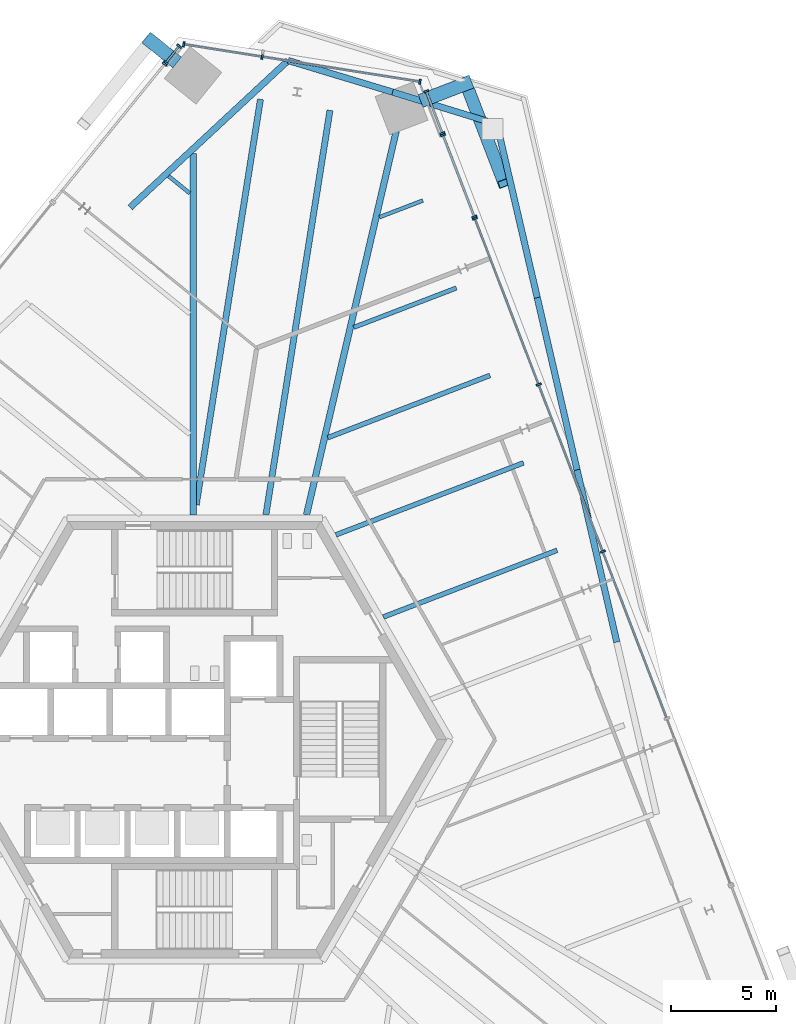
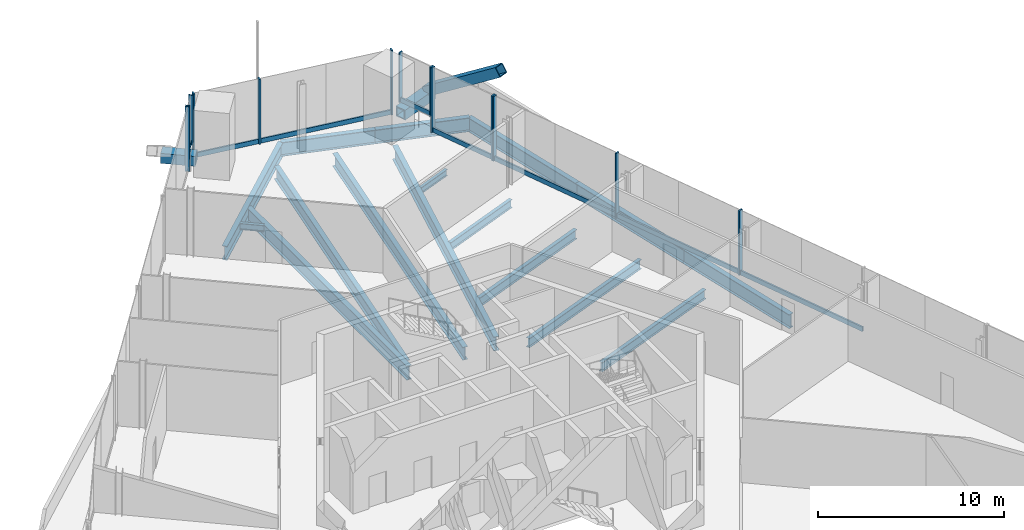
# One storey, part 8 of 22: 24 members, 16 beams, 6 elements without a shape of their own.
"""IFC4 building model written with IfcOpenShell, lengths in metres."""

import ifcopenshell
import ifcopenshell.guid

model = None  # the IFC model being written
_history = None  # IfcOwnerHistory: only IFC2X3 demands one
_inside = {}  # id of a spatial element -> (the spatial element, [elements in it])
_under = {}  # id of a project, library or spatial element -> (it, [spatial elements below it])
_declared = {}  # id of a project -> (the project, [libraries it declares])
_typed = {}  # id of a type object -> (the type object, [elements of that type])
_made_of = {}  # id of a material, layer set ... -> (it, [elements and type objects made of it])


def new_model(schema):
    """Start an empty IFC model of exactly this schema.

    Asked for "IFC4X3", IfcOpenShell would pick the latest addendum, in which some entities
    have other attributes; the version numbers below select the first issue.
    IFC2X3 requires an IfcOwnerHistory on every rooted entity: one is made here for all.
    """
    global model, _history
    if schema == "IFC4X3":
        model = ifcopenshell.file(schema_version=(4, 3, 0, 0))
    else:
        model = ifcopenshell.file(schema=schema)
    _inside.clear()
    _under.clear()
    _declared.clear()
    _typed.clear()
    _made_of.clear()
    _history = None
    if model.schema == "IFC2X3":
        org = make("IfcOrganization", Name="unknown")
        user = make(
            "IfcPersonAndOrganization",
            ThePerson=make("IfcPerson", FamilyName="unknown"),
            TheOrganization=org,
        )
        app = make(
            "IfcApplication",
            ApplicationDeveloper=org,
            Version="unknown",
            ApplicationFullName="unknown",
            ApplicationIdentifier="unknown",
        )
        _history = make(
            "IfcOwnerHistory",
            OwningUser=user,
            OwningApplication=app,
            ChangeAction="ADDED",
            CreationDate=0,
        )
    return model


def make(cls, **values):
    """One entity of the class cls with the attributes given. An attribute that is None is left unset."""
    return model.create_entity(
        cls, **{name: value for name, value in values.items() if value is not None}
    )


def rooted(cls, **values):
    """An entity with a GlobalId (a new one), such as an element, a storey or a relation."""
    return make(cls, GlobalId=ifcopenshell.guid.new(), OwnerHistory=_history, **values)


def si_unit(unit_type, name, prefix=None):
    """IfcSIUnit, for example si_unit("LENGTHUNIT", "METRE", prefix="MILLI")."""
    return make("IfcSIUnit", UnitType=unit_type, Prefix=prefix, Name=name)


def assignment(units):
    """IfcUnitAssignment: the units of a project."""
    return None if units is None else make("IfcUnitAssignment", Units=units)


def point(xyz):
    """IfcCartesianPoint."""
    return None if xyz is None else make("IfcCartesianPoint", Coordinates=xyz)


def direction(xyz):
    """IfcDirection."""
    return None if xyz is None else make("IfcDirection", DirectionRatios=xyz)


def frame(location, z_axis=None, x_axis=None):
    """IfcAxis2Placement3D, a coordinate frame: its origin and axes. An axis left out is left unset."""
    return make(
        "IfcAxis2Placement3D",
        Location=point(location),
        Axis=direction(z_axis),
        RefDirection=direction(x_axis),
    )


def frame_2d(location, x_axis=None):
    """IfcAxis2Placement2D, a coordinate frame in the plane: its origin and x axis."""
    return make(
        "IfcAxis2Placement2D", Location=point(location), RefDirection=direction(x_axis)
    )


def origin():
    """The frame at (0, 0, 0) with its axes left unset."""
    return frame((0.0, 0.0, 0.0))


def origin_2d():
    """The frame at (0, 0) in the plane with its x axis left unset."""
    return frame_2d((0.0, 0.0))


def place(relative_to, where):
    """IfcLocalPlacement: puts the frame where relative to a parent placement (None: the world)."""
    return make(
        "IfcLocalPlacement", PlacementRelTo=relative_to, RelativePlacement=where
    )


def context(
    kind, dimensions, precision=None, world=None, true_north=None, identifier=None
):
    """IfcGeometricRepresentationContext, for example the 3D "Model" context."""
    return make(
        "IfcGeometricRepresentationContext",
        ContextIdentifier=identifier,
        ContextType=kind,
        CoordinateSpaceDimension=dimensions,
        Precision=precision,
        WorldCoordinateSystem=world,
        TrueNorth=true_north,
    )


def subcontext(parent, identifier, kind, view, scale=None):
    """IfcGeometricRepresentationSubContext, for example "Body" below "Model"."""
    return make(
        "IfcGeometricRepresentationSubContext",
        ContextIdentifier=identifier,
        ContextType=kind,
        ParentContext=parent,
        TargetScale=scale,
        TargetView=view,
    )


def project(units=None, contexts=None):
    """IfcProject with its units and contexts."""
    return rooted(
        "IfcProject",
        Name="project",
        RepresentationContexts=contexts,
        UnitsInContext=assignment(units),
    )


def spatial(cls, under=None, at=None, **own):
    """A site, building, storey or space (cls), placed at a placement, below another one or the project."""
    s = rooted(cls, ObjectPlacement=at, **own)
    if under is not None:
        _under.setdefault(under.id(), (under, []))[1].append(s)
    return s


def profile(cls, at=None, kind="AREA", **sizes):
    """A parametric profile (cls). Its sizes go by their IFC names, for example OverallWidth=200.0."""
    return make(cls, ProfileType=kind, Position=at, **sizes)


def rectangle(**sizes):
    """IfcRectangleProfileDef."""
    return profile("IfcRectangleProfileDef", **sizes)


def hollow_rectangle(**sizes):
    """IfcRectangleHollowProfileDef."""
    return profile("IfcRectangleHollowProfileDef", **sizes)


def i_section(**sizes):
    """IfcIShapeProfileDef."""
    return profile("IfcIShapeProfileDef", **sizes)


def extrude(swept, where, along, depth):
    """IfcExtrudedAreaSolid: the profile swept, set in the frame where, extruded along a direction by depth."""
    return make(
        "IfcExtrudedAreaSolid",
        SweptArea=swept,
        Position=where,
        ExtrudedDirection=direction(along),
        Depth=depth,
    )


def shape(context_of_items, identifier, shape_type, items):
    """IfcShapeRepresentation: the items that make up one representation, for example the "Body"."""
    return make(
        "IfcShapeRepresentation",
        ContextOfItems=context_of_items,
        RepresentationIdentifier=identifier,
        RepresentationType=shape_type,
        Items=items,
    )


def source(mapping_origin, context_of_items, identifier, shape_type, items):
    """IfcRepresentationMap: a shape defined once, which mapped items show again and again."""
    return make(
        "IfcRepresentationMap",
        MappingOrigin=mapping_origin,
        MappedRepresentation=shape(context_of_items, identifier, shape_type, items),
    )


def transform(
    local_origin,
    x_axis=None,
    y_axis=None,
    z_axis=None,
    scale=None,
    scale2=None,
    scale3=None,
    uniform=True,
):
    """IfcCartesianTransformationOperator3D, or its non-uniform kind. x_axis, y_axis, z_axis: its Axis1, 2, 3."""
    if uniform:
        return make(
            "IfcCartesianTransformationOperator3D",
            Axis1=direction(x_axis),
            Axis2=direction(y_axis),
            LocalOrigin=point(local_origin),
            Scale=scale,
            Axis3=direction(z_axis),
        )
    return make(
        "IfcCartesianTransformationOperator3DnonUniform",
        Axis1=direction(x_axis),
        Axis2=direction(y_axis),
        LocalOrigin=point(local_origin),
        Scale=scale,
        Axis3=direction(z_axis),
        Scale2=scale2,
        Scale3=scale3,
    )


def mapped(mapping_source, mapping_target):
    """IfcMappedItem: shows the shape of a source again, moved by a transform."""
    return make(
        "IfcMappedItem", MappingSource=mapping_source, MappingTarget=mapping_target
    )


def material(Name=None, Category=None):
    """IfcMaterial."""
    return make("IfcMaterial", Name=Name, Category=Category)


def material_profile(
    of_material, cross_section, Name=None, Category=None, Priority=None
):
    """IfcMaterialProfile: a cross section and its material."""
    return make(
        "IfcMaterialProfile",
        Name=Name,
        Material=of_material,
        Profile=cross_section,
        Priority=Priority,
        Category=Category,
    )


def profile_set(profiles, Name=None, composite=None):
    """IfcMaterialProfileSet."""
    return make(
        "IfcMaterialProfileSet",
        Name=Name,
        MaterialProfiles=profiles,
        CompositeProfile=composite,
    )


def made_of(thing, what):
    """Note that an element or type object is made of a material, layer set ...; save() writes the relation."""
    if what is not None:
        _made_of.setdefault(what.id(), (what, []))[1].append(thing)
    return thing


def type_object(cls, material=None, **own):
    """A type object (cls), such as IfcWallType, which elements share."""
    return made_of(rooted(cls, **own), material)


def element(
    cls,
    number,
    at=None,
    inside=None,
    cuts=None,
    type_object=None,
    material=None,
    context=None,
    identifier="Body",
    shape_type=None,
    held_by="IfcProductDefinitionShape",
    body=None,
    shapes=None,
    **own,
):
    """One element of the class cls, such as IfcWall. Its Tag is "e" and its number.

    at: its placement. inside: the storey or other place that contains it. cuts: it is an
    opening in that element (IfcRelVoidsElement). A single representation is given by context,
    identifier, shape_type and body (its items); several are given by shapes. held_by: the class
    of the entity that holds the representations. save() writes the other relations.
    """
    e = rooted(cls, Tag="e%d" % number, ObjectPlacement=at, **own)
    if body is not None:
        shapes = [shape(context, identifier, shape_type, body)]
    if shapes is not None:
        e.Representation = make(held_by, Representations=shapes)
    if inside is not None:
        _inside.setdefault(inside.id(), (inside, []))[1].append(e)
    if cuts is not None:
        rooted(
            "IfcRelVoidsElement", RelatingBuildingElement=cuts, RelatedOpeningElement=e
        )
    if type_object is not None:
        _typed.setdefault(type_object.id(), (type_object, []))[1].append(e)
    return made_of(e, material)


def aggregate(whole, parts):
    """IfcRelAggregates: a whole, such as a stair, and the parts it consists of."""
    return rooted("IfcRelAggregates", RelatingObject=whole, RelatedObjects=parts)


def save(model, path):
    """Write the relations noted so far, then the file.

    IfcRelAggregates (storeys below a building ...), IfcRelContainedInSpatialStructure (elements
    in a storey), IfcRelDefinesByType, IfcRelAssociatesMaterial and IfcRelDeclares: one each for
    every whole, place, type object, material and project.
    """
    for whole, parts in _under.values():
        aggregate(whole, parts)
    for where, things in _inside.values():
        rooted(
            "IfcRelContainedInSpatialStructure",
            RelatedElements=things,
            RelatingStructure=where,
        )
    for kind, things in _typed.values():
        rooted("IfcRelDefinesByType", RelatedObjects=things, RelatingType=kind)
    for what, things in _made_of.values():
        rooted("IfcRelAssociatesMaterial", RelatedObjects=things, RelatingMaterial=what)
    for by, libraries in _declared.values():
        rooted("IfcRelDeclares", RelatingContext=by, RelatedDefinitions=libraries)
    model.write(path)


model = new_model("IFC4")

# Units and contexts
model_context = context("Model", 3, precision=1e-05, world=origin(), true_north=direction((0.0, 1.0)))
body_context = subcontext(model_context, "Body", "Model", "MODEL_VIEW")
ifc_project = project(units=[si_unit("LENGTHUNIT", "METRE"), si_unit("AREAUNIT", "SQUARE_METRE"), si_unit("VOLUMEUNIT", "CUBIC_METRE"), si_unit("PLANEANGLEUNIT", "RADIAN"), si_unit("MASSUNIT", "GRAM", prefix="KILO")], contexts=[model_context])

# Site, building, storey
site_placement = place(None, origin())
site = spatial("IfcSite", under=ifc_project, at=site_placement, CompositionType="ELEMENT")
building_placement = place(site_placement, origin())
building = spatial("IfcBuilding", under=site, at=building_placement, Name="Triune Harvest Tower", CompositionType="ELEMENT")
storey_placement = place(building_placement, frame((0.0, 0.0, 138.10009765625)))
storey = spatial("IfcBuildingStorey", under=building, at=storey_placement, Name="L35", CompositionType="ELEMENT", Elevation=138.10009765625)

# Member
ifc_material_1 = material(Name="Steel ASTM A572 Gr 50", Category="steel")
ifc_material_profile_1 = material_profile(ifc_material_1, hollow_rectangle(XDim=0.60009765625, YDim=0.60009765625, WallThickness=0.0400390625, at=origin_2d()), Name="Box 600x600x40")
ifc_profile_set_1 = profile_set([ifc_material_profile_1], Name="Steel ASTM A572 Gr 50")
member_type_1 = type_object("IfcMemberType", Name="BR-2 Brace Box 600x600x40", PredefinedType="BRACE", material=ifc_profile_set_1)
member_1_placement = place(storey_placement, frame((12.917236328125, 31.228515625, 0.889892578125), z_axis=(0.29473822282, -0.767862304256, 0.568785426775), x_axis=(0.933587137948, 0.35835046513, 0.0)))
element("IfcMember", 1, at=member_1_placement, inside=storey, type_object=member_type_1, Name="brace/B4-F1/d2/1", PredefinedType="BRACE", context=body_context, shape_type="SweptSolid", body=[
    extrude(hollow_rectangle(XDim=0.60009765625, YDim=0.60009765625, WallThickness=0.0400390625, at=origin_2d()), origin(), (0.0, 0.0, 1.0), 6.171142578125),
])

# Beams
ifc_material_2 = material(Name="Steel ASTM A992 Gr 50", Category="steel")
ifc_material_profile_2 = material_profile(ifc_material_2, i_section(OverallWidth=0.307373046875, OverallDepth=0.922119140625, WebThickness=0.018310546875, FlangeThickness=0.030029296875, at=origin_2d()), Name="W36x182")
ifc_profile_set_2 = profile_set([ifc_material_profile_2], Name="Steel ASTM A992 Gr 50")
beam_type_1 = type_object("IfcBeamType", Name="HG-2 Hip girder W36x182", PredefinedType="BEAM", material=ifc_profile_set_2)
beam_1_placement = place(storey_placement, frame((-0.0791015625, 27.9111328125, -0.6611328125), z_axis=(0.0, -1.0, 0.0), x_axis=(1.0, 0.0, 0.0)))
element("IfcBeam", 2, at=beam_1_placement, inside=storey, type_object=beam_type_1, Name="beam/L35/HG4", PredefinedType="BEAM", context=body_context, shape_type="SweptSolid", body=[
    extrude(i_section(OverallWidth=0.307373046875, OverallDepth=0.922119140625, WebThickness=0.018310546875, FlangeThickness=0.030029296875, at=origin_2d()), origin(), (0.0, 0.0, 1.0), 17.214111328125),
])
ifc_material_3 = material(Name="Steel ASTM A992 Gr 50", Category="steel")
ifc_material_profile_3 = material_profile(ifc_material_3, i_section(OverallWidth=0.180908203125, OverallDepth=0.41650390625, WebThickness=0.010986328125, FlangeThickness=0.01806640625, at=origin_2d()), Name="W16x57")
ifc_profile_set_3 = profile_set([ifc_material_profile_3], Name="Steel ASTM A992 Gr 50")
beam_type_2 = type_object("IfcBeamType", Name="JT-1 Floor joist W16x57", PredefinedType="JOIST", material=ifc_profile_set_3)
beam_2_placement = place(storey_placement, frame((-1.24462890625, 26.827880859375, -0.408447265625), z_axis=(0.777122576468, -0.629349268009, 0.0), x_axis=(0.629349268009, 0.777122576468, 0.0)))
element("IfcBeam", 3, at=beam_2_placement, inside=storey, type_object=beam_type_2, Name="beam/L35/JT13", PredefinedType="JOIST", context=body_context, shape_type="SweptSolid", body=[
    extrude(i_section(OverallWidth=0.180908203125, OverallDepth=0.41650390625, WebThickness=0.010986328125, FlangeThickness=0.01806640625, at=origin_2d()), origin(), (0.0, 0.0, 1.0), 1.3017578125),
])
ifc_material_4 = material(Name="Steel ASTM A992 Gr 50", Category="steel")
ifc_material_profile_4 = material_profile(ifc_material_4, i_section(OverallWidth=0.2099609375, OverallDepth=0.535888671875, WebThickness=0.010986328125, FlangeThickness=0.017333984375, at=origin_2d()), Name="W21x68")
ifc_profile_set_4 = profile_set([ifc_material_profile_4], Name="Steel ASTM A992 Gr 50")
beam_type_3 = type_object("IfcBeamType", Name="JT-2 Floor joist W21x68", PredefinedType="JOIST", material=ifc_profile_set_4)
beam_3_placement = place(storey_placement, frame((12.45947265625, 21.5, -0.468017578125), z_axis=(-0.933578361665, -0.358373328572, 0.0), x_axis=(0.358373328572, -0.933578361665, 0.0)))
element("IfcBeam", 4, at=beam_3_placement, inside=storey, type_object=beam_type_3, Name="beam/L35/JT9", PredefinedType="JOIST", context=body_context, shape_type="SweptSolid", body=[
    extrude(i_section(OverallWidth=0.2099609375, OverallDepth=0.535888671875, WebThickness=0.010986328125, FlangeThickness=0.017333984375, at=origin_2d()), origin(), (0.0, 0.0, 1.0), 5.240234375),
])
ifc_material_5 = material(Name="Steel ASTM A992 Gr 50", Category="steel")
ifc_material_profile_5 = material_profile(ifc_material_5, i_section(OverallWidth=0.22900390625, OverallDepth=0.612060546875, WebThickness=0.011962890625, FlangeThickness=0.01953125, at=origin_2d()), Name="W24x84")
ifc_profile_set_5 = profile_set([ifc_material_profile_5], Name="Steel ASTM A992 Gr 50")
beam_type_4 = type_object("IfcBeamType", Name="JT-3 Floor joist W24x84", PredefinedType="JOIST", material=ifc_profile_set_5)
beam_4_placement = place(storey_placement, frame((17.25341796875, 9.01123046875, -0.506103515625), z_axis=(-0.933576238689, -0.358378858969, 0.0), x_axis=(0.358378858969, -0.933576238689, 0.0)))
element("IfcBeam", 5, at=beam_4_placement, inside=storey, type_object=beam_type_4, Name="beam/L35/JT6", PredefinedType="JOIST", context=body_context, shape_type="SweptSolid", body=[
    extrude(i_section(OverallWidth=0.22900390625, OverallDepth=0.612060546875, WebThickness=0.011962890625, FlangeThickness=0.01953125, at=origin_2d()), origin(), (0.0, 0.0, 1.0), 8.859375),
])
beam_5_placement = place(storey_placement, frame((15.655517578125, 13.174072265625, -0.506103515625), z_axis=(-0.933583522137, -0.358359885025, 0.0), x_axis=(0.358359885025, -0.933583522137, 0.0)))
element("IfcBeam", 6, at=beam_5_placement, inside=storey, type_object=beam_type_4, Name="beam/L35/JT7", PredefinedType="JOIST", context=body_context, shape_type="SweptSolid", body=[
    extrude(i_section(OverallWidth=0.22900390625, OverallDepth=0.612060546875, WebThickness=0.011962890625, FlangeThickness=0.01953125, at=origin_2d()), origin(), (0.0, 0.0, 1.0), 9.565673828125),
])
beam_6_placement = place(storey_placement, frame((14.0576171875, 17.3369140625, -0.506103515625), z_axis=(-0.93358823869, -0.358347597424, 0.0), x_axis=(0.358347597424, -0.93358823869, 0.0)))
element("IfcBeam", 7, at=beam_6_placement, inside=storey, type_object=beam_type_4, Name="beam/L35/JT8", PredefinedType="JOIST", context=body_context, shape_type="SweptSolid", body=[
    extrude(i_section(OverallWidth=0.22900390625, OverallDepth=0.612060546875, WebThickness=0.011962890625, FlangeThickness=0.01953125, at=origin_2d()), origin(), (0.0, 0.0, 1.0), 8.265380859375),
])
ifc_material_6 = material(Name="Steel ASTM A992 Gr 50", Category="steel")
ifc_material_profile_6 = material_profile(ifc_material_6, i_section(OverallWidth=0.2919921875, OverallDepth=0.8583984375, WebThickness=0.01708984375, FlangeThickness=0.031005859375, at=origin_2d()), Name="W33x169")
ifc_profile_set_6 = profile_set([ifc_material_profile_6], Name="Steel ASTM A992 Gr 50")
beam_type_5 = type_object("IfcBeamType", Name="JT-7 Floor joist W33x169", PredefinedType="JOIST", material=ifc_profile_set_6)
beam_7_placement = place(storey_placement, frame((3.1318359375, 30.480712890625, -0.62939453125), z_axis=(-0.156432747705, -0.987688612593, 0.0), x_axis=(0.987688612593, -0.156432747705, 0.0)))
element("IfcBeam", 8, at=beam_7_placement, inside=storey, type_object=beam_type_5, Name="beam/L35/JT12", PredefinedType="JOIST", context=body_context, shape_type="SweptSolid", body=[
    extrude(i_section(OverallWidth=0.2919921875, OverallDepth=0.8583984375, WebThickness=0.01708984375, FlangeThickness=0.031005859375, at=origin_2d()), origin(), (0.0, 0.0, 1.0), 19.54443359375),
])
ifc_material_7 = material(Name="Steel ASTM A992 Gr 50", Category="steel")
ifc_material_profile_7 = material_profile(ifc_material_7, i_section(OverallWidth=0.3046875, OverallDepth=0.914306640625, WebThickness=0.0166015625, FlangeThickness=0.02587890625, at=origin_2d()), Name="W36x160")
ifc_profile_set_7 = profile_set([ifc_material_profile_7], Name="Steel ASTM A992 Gr 50")
beam_type_6 = type_object("IfcBeamType", Name="SB-1 Spandrel beam W36x160", PredefinedType="SPANDREL", material=ifc_profile_set_7)
beam_8_placement = place(storey_placement, frame((20.096923828125, 4.639892578125, -0.6572265625), z_axis=(-0.224956984532, 0.974368695674, 0.0), x_axis=(-0.974368695674, -0.224956984532, 0.0)))
element("IfcBeam", 9, at=beam_8_placement, inside=storey, type_object=beam_type_6, Name="beam/L35/WB3", PredefinedType="SPANDREL", context=body_context, shape_type="SweptSolid", body=[
    extrude(i_section(OverallWidth=0.3046875, OverallDepth=0.914306640625, WebThickness=0.0166015625, FlangeThickness=0.02587890625, at=origin_2d()), origin(), (0.0, 0.0, 1.0), 8.4140625),
])
beam_9_placement = place(storey_placement, frame((16.311279296875, 21.037353515625, -0.6572265625), z_axis=(-0.226784251842, 0.973945020582, 0.0), x_axis=(-0.973945020582, -0.226784251842, 0.0)))
element("IfcBeam", 10, at=beam_9_placement, inside=storey, type_object=beam_type_6, Name="beam/L35/WB5", PredefinedType="SPANDREL", context=body_context, shape_type="SweptSolid", body=[
    extrude(i_section(OverallWidth=0.3046875, OverallDepth=0.914306640625, WebThickness=0.0166015625, FlangeThickness=0.02587890625, at=origin_2d()), origin(), (0.0, 0.0, 1.0), 8.474365234375),
])
beam_10_placement = place(storey_placement, frame((4.4501953125, 32.32958984375, -0.6572265625), z_axis=(-0.732418460409, -0.680854756062, 0.0), x_axis=(0.680854756062, -0.732418460409, 0.0)))
element("IfcBeam", 11, at=beam_10_placement, inside=storey, type_object=beam_type_6, Name="beam/L35/WB8", PredefinedType="SPANDREL", context=body_context, shape_type="SweptSolid", body=[
    extrude(i_section(OverallWidth=0.3046875, OverallDepth=0.914306640625, WebThickness=0.0166015625, FlangeThickness=0.02587890625, at=origin_2d()), origin(), (0.0, 0.0, 1.0), 10.2744140625),
])

# Curtain wall, member
ifc_material_8 = material(Name="Aluminium bronze anodised", Category="aluminium")
curtain_wall_type_1 = type_object("IfcCurtainWallType", Name="CW-4 Sky lobby tall glazing wall", PredefinedType="NOTDEFINED", material=ifc_material_8)
curtain_wall_1_placement = place(storey_placement, origin())
curtain_wall_1 = element("IfcCurtainWall", 12, at=curtain_wall_1_placement, inside=storey, type_object=curtain_wall_type_1, Name="CW-4 B4-F3 L35 run 1")
ifc_material_9 = material(Name="Aluminium bronze anodised", Category="aluminium")
ifc_material_profile_8 = material_profile(ifc_material_9, rectangle(XDim=0.10009765625, YDim=0.300048828125, at=origin_2d()), Name="TR-4 transom 100 x 300")
ifc_profile_set_8 = profile_set([ifc_material_profile_8], Name="Aluminium bronze anodised")
member_type_2 = type_object("IfcMemberType", Name="TR-4 transom 100 x 300", PredefinedType="USERDEFINED", material=ifc_profile_set_8)
member_2_placement = place(storey_placement, frame((-0.76708984375, 32.979248046875, 1.135009765625), z_axis=(-0.629359045077, -0.777114658451, 0.0), x_axis=(0.777114658451, -0.629359045077, 0.0)))
member_2 = element("IfcMember", 13, at=member_2_placement, type_object=member_type_2, Name="CW-4 transom B4-F3 1.1", ObjectType="TRANSOM", PredefinedType="USERDEFINED", context=body_context, shape_type="SweptSolid", body=[
    extrude(rectangle(XDim=0.10009765625, YDim=0.300048828125, at=origin_2d()), origin(), (0.0, 0.0, 1.0), 0.9169921875),
])

# Beams
shared_shape_1 = source(origin(), body_context, "Body", "SweptSolid", [
    extrude(i_section(OverallWidth=0.3046875, OverallDepth=0.914306640625, WebThickness=0.0166015625, FlangeThickness=0.02587890625, at=origin_2d()), origin(), (0.0, 0.0, 1.0), 8.41455078125),
])
beam_11_placement = place(storey_placement, frame((18.2041015625, 12.83837890625, -0.6572265625), z_axis=(-0.224944265367, 0.974371632119, 0.0), x_axis=(-0.974371632119, -0.224944265367, 0.0)))
element("IfcBeam", 14, at=beam_11_placement, inside=storey, type_object=beam_type_6, Name="beam/L35/WB4", PredefinedType="SPANDREL", context=body_context, shape_type="MappedRepresentation", body=[
    mapped(shared_shape_1, transform((0.0, 0.0, 0.0), scale=1.0)),
])
shared_shape_2 = source(origin(), body_context, "Body", "SweptSolid", [
    extrude(i_section(OverallWidth=0.3046875, OverallDepth=0.914306640625, WebThickness=0.0166015625, FlangeThickness=0.02587890625, at=origin_2d()), origin(), (0.0, 0.0, 1.0), 5.19677734375),
])
beam_12_placement = place(storey_placement, frame((14.389404296875, 29.291015625, -0.6572265625), z_axis=(-0.955402399994, 0.295307050517, 0.0), x_axis=(-0.295307050517, -0.955402399994, 0.0)))
element("IfcBeam", 15, at=beam_12_placement, inside=storey, type_object=beam_type_6, Name="beam/L35/WB6", PredefinedType="SPANDREL", context=body_context, shape_type="MappedRepresentation", body=[
    mapped(shared_shape_2, transform((0.0, 0.0, 0.0), scale=1.0)),
])
shared_shape_3 = source(origin(), body_context, "Body", "SweptSolid", [
    extrude(i_section(OverallWidth=0.3046875, OverallDepth=0.914306640625, WebThickness=0.0166015625, FlangeThickness=0.02587890625, at=origin_2d()), origin(), (0.0, 0.0, 1.0), 5.196533203125),
])
beam_13_placement = place(storey_placement, frame((9.42431640625, 30.82568359375, -0.6572265625), z_axis=(-0.957205979296, 0.289407520981, 0.0), x_axis=(-0.289407520981, -0.957205979296, 0.0)))
element("IfcBeam", 16, at=beam_13_placement, inside=storey, type_object=beam_type_6, Name="beam/L35/WB7", PredefinedType="SPANDREL", context=body_context, shape_type="MappedRepresentation", body=[
    mapped(shared_shape_3, transform((0.0, 0.0, 0.0), scale=1.0)),
])
shared_shape_4 = source(origin(), body_context, "Body", "SweptSolid", [
    extrude(i_section(OverallWidth=0.307373046875, OverallDepth=0.922119140625, WebThickness=0.018310546875, FlangeThickness=0.030029296875, at=origin_2d()), origin(), (0.0, 0.0, 1.0), 18.76123046875),
])
beam_14_placement = place(storey_placement, frame((9.593505859375, 28.9658203125, -0.6611328125), z_axis=(-0.227598600056, -0.973755039655, 0.0), x_axis=(0.973755039655, -0.227598600056, 0.0)))
element("IfcBeam", 17, at=beam_14_placement, inside=storey, type_object=beam_type_1, Name="beam/L35/HG3", PredefinedType="BEAM", context=body_context, shape_type="MappedRepresentation", body=[
    mapped(shared_shape_4, transform((0.0, 0.0, 0.0), scale=1.0)),
])
shared_shape_5 = source(origin(), body_context, "Body", "SweptSolid", [
    extrude(i_section(OverallWidth=0.180908203125, OverallDepth=0.41650390625, WebThickness=0.010986328125, FlangeThickness=0.01806640625, at=origin_2d()), origin(), (0.0, 0.0, 1.0), 2.21484375),
])
beam_15_placement = place(storey_placement, frame((10.861572265625, 25.662841796875, -0.408447265625), z_axis=(-0.93357838007, -0.358373280624, 0.0), x_axis=(0.358373280624, -0.93357838007, 0.0)))
element("IfcBeam", 18, at=beam_15_placement, inside=storey, type_object=beam_type_2, Name="beam/L35/JT10", PredefinedType="JOIST", context=body_context, shape_type="MappedRepresentation", body=[
    mapped(shared_shape_5, transform((0.0, 0.0, 0.0), scale=1.0)),
])
ifc_material_10 = material(Name="Steel ASTM A992 Gr 50", Category="steel")
ifc_material_profile_9 = material_profile(ifc_material_10, i_section(OverallWidth=0.2919921875, OverallDepth=0.8408203125, WebThickness=0.0146484375, FlangeThickness=0.021728515625, at=origin_2d()), Name="W33x130")
ifc_profile_set_9 = profile_set([ifc_material_profile_9], Name="Steel ASTM A992 Gr 50")
beam_type_7 = type_object("IfcBeamType", Name="JT-6 Floor joist W33x130", PredefinedType="JOIST", material=ifc_profile_set_9)
shared_shape_6 = source(origin(), body_context, "Body", "SweptSolid", [
    extrude(i_section(OverallWidth=0.2919921875, OverallDepth=0.8408203125, WebThickness=0.0146484375, FlangeThickness=0.021728515625, at=origin_2d()), origin(), (0.0, 0.0, 1.0), 19.49951171875),
])
beam_16_placement = place(storey_placement, frame((6.4404296875, 29.95654296875, -0.62060546875), z_axis=(-0.156428683658, -0.987689256259, 0.0), x_axis=(0.987689256259, -0.156428683658, 0.0)))
element("IfcBeam", 19, at=beam_16_placement, inside=storey, type_object=beam_type_7, Name="beam/L35/JT11", PredefinedType="JOIST", context=body_context, shape_type="MappedRepresentation", body=[
    mapped(shared_shape_6, transform((0.0, 0.0, 0.0), scale=1.0)),
])

# Members
ifc_material_11 = material(Name="Steel ASTM A572 Gr 50", Category="steel")
ifc_material_profile_10 = material_profile(ifc_material_11, hollow_rectangle(XDim=0.64990234375, YDim=0.64990234375, WallThickness=0.070068359375, at=origin_2d()), Name="Box 650x650x70")
ifc_profile_set_10 = profile_set([ifc_material_profile_10], Name="Steel ASTM A572 Gr 50")
member_type_3 = type_object("IfcMemberType", Name="BS-1 Brace stub Box 650x650x70", PredefinedType="STRUT", material=ifc_profile_set_10)
shared_shape_7 = source(origin(), body_context, "Body", "SweptSolid", [
    extrude(hollow_rectangle(XDim=0.64990234375, YDim=0.64990234375, WallThickness=0.070068359375, at=origin_2d()), origin(), (0.0, 0.0, 1.0), 2.59375),
])
member_3_placement = place(storey_placement, frame((10.757080078125, 30.399169921875, 0.599853515625), z_axis=(0.933597661899, 0.358323046562, 0.0), x_axis=(-0.358323046562, 0.933597661899, 0.0)))
element("IfcMember", 20, at=member_3_placement, inside=storey, type_object=member_type_3, Name="brace/B4-F1/stub3", PredefinedType="STRUT", context=body_context, shape_type="MappedRepresentation", body=[
    mapped(shared_shape_7, transform((0.0, 0.0, 0.0), scale=1.0)),
])
shared_shape_8 = source(origin(), body_context, "Body", "SweptSolid", [
    extrude(hollow_rectangle(XDim=0.64990234375, YDim=0.64990234375, WallThickness=0.070068359375, at=origin_2d()), origin(), (0.0, 0.0, 1.0), 1.8935546875),
])
member_4_placement = place(storey_placement, frame((-0.8369140625, 32.235595703125, 0.599853515625), z_axis=(-0.777169805145, 0.629290945407, 0.0), x_axis=(-0.629290945407, -0.777169805145, 0.0)))
element("IfcMember", 21, at=member_4_placement, inside=storey, type_object=member_type_3, Name="brace/B4-F3/stub1", PredefinedType="STRUT", context=body_context, shape_type="MappedRepresentation", body=[
    mapped(shared_shape_8, transform((0.0, 0.0, 0.0), scale=1.0)),
])

# Curtain wall, members
ifc_material_12 = material(Name="Aluminium bronze anodised", Category="aluminium")
curtain_wall_type_2 = type_object("IfcCurtainWallType", Name="CW-9 Sky lobby tall glazing wall with insulated spandrel infill", PredefinedType="NOTDEFINED", material=ifc_material_12)
curtain_wall_2_placement = place(storey_placement, origin())
curtain_wall_2 = element("IfcCurtainWall", 22, at=curtain_wall_2_placement, inside=storey, type_object=curtain_wall_type_2, Name="CW-9 B4-F1 L35 run 201")
ifc_material_13 = material(Name="Aluminium bronze anodised", Category="aluminium")
ifc_material_profile_11 = material_profile(ifc_material_13, rectangle(XDim=0.25, YDim=0.090087890625, at=origin_2d()), Name="MU-4 mullion 90 x 250")
ifc_profile_set_11 = profile_set([ifc_material_profile_11], Name="Aluminium bronze anodised")
member_type_4 = type_object("IfcMemberType", Name="MU-4 mullion 90 x 250", PredefinedType="MULLION", material=ifc_profile_set_11)
shared_shape_9 = source(origin(), body_context, "Body", "SweptSolid", [
    extrude(rectangle(XDim=0.25, YDim=0.090087890625, at=origin_2d()), origin(), (0.0, 0.0, 1.0), 3.255126953125),
])
member_5_placement = place(storey_placement, frame((11.789794921875, 28.8642578125, 0.98486328125), z_axis=(0.0, 0.0, 1.0), x_axis=(-0.93357739117, -0.358375856743, 0.0)))
member_5 = element("IfcMember", 23, at=member_5_placement, type_object=member_type_4, Name="CW-9 mullion B4-F1 201.1", PredefinedType="MULLION", context=body_context, shape_type="MappedRepresentation", body=[
    mapped(shared_shape_9, transform((0.0, 0.0, 0.0), scale=1.0)),
])
member_6_placement = place(storey_placement, frame((11.021728515625, 30.864990234375, 0.98486328125), z_axis=(0.0, 0.0, 1.0), x_axis=(-0.93357739117, -0.358375856743, 0.0)))
member_6 = element("IfcMember", 24, at=member_6_placement, type_object=member_type_4, Name="CW-9 mullion B4-F1 201.2", PredefinedType="MULLION", context=body_context, shape_type="MappedRepresentation", body=[
    mapped(shared_shape_9, transform((0.0, 0.0, 0.0), scale=1.0)),
])

# Member
member_7_placement = place(storey_placement, frame((-0.73876953125, 33.01416015625, 0.98486328125), z_axis=(0.0, 0.0, 1.0), x_axis=(0.777128085535, -0.629342465334, 0.0)))
member_7 = element("IfcMember", 25, at=member_7_placement, type_object=member_type_4, Name="CW-4 mullion B4-F3 1.1", PredefinedType="MULLION", context=body_context, shape_type="MappedRepresentation", body=[
    mapped(shared_shape_9, transform((0.0, 0.0, 0.0), scale=1.0)),
])

member_8_placement = place(storey_placement, frame((-1.37255859375, 32.231689453125, 0.98486328125), z_axis=(0.0, 0.0, 1.0), x_axis=(0.777128085535, -0.629342465334, 0.0)))
member_8 = element("IfcMember", 26, at=member_8_placement, type_object=member_type_4, Name="CW-4 mullion B4-F3 1.2", PredefinedType="MULLION", context=body_context, shape_type="MappedRepresentation", body=[
    mapped(shared_shape_9, transform((0.0, 0.0, 0.0), scale=1.0)),
])

aggregate(curtain_wall_1, [member_7, member_8, member_2])

# Curtain wall, members
curtain_wall_3_placement = place(storey_placement, origin())
curtain_wall_3 = element("IfcCurtainWall", 27, at=curtain_wall_3_placement, inside=storey, type_object=curtain_wall_type_1, Name="CW-4 B4-F1 L35 run 1101")
shared_shape_10 = source(origin(), body_context, "Body", "SweptSolid", [
    extrude(rectangle(XDim=0.25, YDim=0.090087890625, at=origin_2d()), origin(), (0.0, 0.0, 1.0), 4.239990234375),
])
member_9_placement = place(storey_placement, frame((19.43212890625, 8.955078125, 0.0), z_axis=(0.0, 0.0, 1.0), x_axis=(-0.933580061504, -0.358368900385, 0.0)))
member_9 = element("IfcMember", 28, at=member_9_placement, type_object=member_type_4, Name="CW-4 mullion B4-F1 1101.5", PredefinedType="MULLION", context=body_context, shape_type="MappedRepresentation", body=[
    mapped(shared_shape_10, transform((0.0, 0.0, 0.0), scale=1.0)),
])
member_10_placement = place(storey_placement, frame((16.381591796875, 16.902099609375, 0.0), z_axis=(0.0, 0.0, 1.0), x_axis=(-0.933580061504, -0.358368900385, 0.0)))
member_10 = element("IfcMember", 29, at=member_10_placement, type_object=member_type_4, Name="CW-4 mullion B4-F1 1101.7", PredefinedType="MULLION", context=body_context, shape_type="MappedRepresentation", body=[
    mapped(shared_shape_10, transform((0.0, 0.0, 0.0), scale=1.0)),
])
member_11_placement = place(storey_placement, frame((13.34716796875, 24.806884765625, 0.0), z_axis=(0.0, 0.0, 1.0), x_axis=(-0.933580061504, -0.358368900385, 0.0)))
member_11 = element("IfcMember", 30, at=member_11_placement, type_object=member_type_4, Name="CW-4 mullion B4-F1 1101.9", PredefinedType="MULLION", context=body_context, shape_type="MappedRepresentation", body=[
    mapped(shared_shape_10, transform((0.0, 0.0, 0.0), scale=1.0)),
])

curtain_wall_4_placement = place(storey_placement, origin())
curtain_wall_4 = element("IfcCurtainWall", 31, at=curtain_wall_4_placement, inside=storey, type_object=curtain_wall_type_2, Name="CW-9 B4-F1 L35 run 2101")
member_12_placement = place(storey_placement, frame((13.31494140625, 24.890869140625, 0.0), z_axis=(0.0, 0.0, 1.0), x_axis=(-0.933576131021, -0.358379139444, 0.0)))
member_12 = element("IfcMember", 32, at=member_12_placement, type_object=member_type_4, Name="CW-9 mullion B4-F1 2101.1", PredefinedType="MULLION", context=body_context, shape_type="MappedRepresentation", body=[
    mapped(shared_shape_10, transform((0.0, 0.0, 0.0), scale=1.0)),
])
member_13_placement = place(storey_placement, frame((11.822021484375, 28.7802734375, 0.0), z_axis=(0.0, 0.0, 1.0), x_axis=(-0.933576131021, -0.358379139444, 0.0)))
member_13 = element("IfcMember", 33, at=member_13_placement, type_object=member_type_4, Name="CW-9 mullion B4-F1 2101.2", PredefinedType="MULLION", context=body_context, shape_type="MappedRepresentation", body=[
    mapped(shared_shape_10, transform((0.0, 0.0, 0.0), scale=1.0)),
])

curtain_wall_5_placement = place(storey_placement, origin())
curtain_wall_5 = element("IfcCurtainWall", 34, at=curtain_wall_5_placement, inside=storey, type_object=curtain_wall_type_1, Name="CW-4 B4-F2 L35 run 1")
member_14_placement = place(storey_placement, frame((10.722900390625, 31.317138671875, 0.0), z_axis=(0.0, 0.0, 1.0), x_axis=(-0.156432728322, -0.987688615663, 0.0)))
member_14 = element("IfcMember", 35, at=member_14_placement, type_object=member_type_4, Name="CW-4 mullion B4-F2 1.1", PredefinedType="MULLION", context=body_context, shape_type="MappedRepresentation", body=[
    mapped(shared_shape_10, transform((0.0, 0.0, 0.0), scale=1.0)),
])
member_15_placement = place(storey_placement, frame((3.21240234375, 32.506591796875, 0.0), z_axis=(0.0, 0.0, 1.0), x_axis=(-0.156432728322, -0.987688615663, 0.0)))
member_15 = element("IfcMember", 36, at=member_15_placement, type_object=member_type_4, Name="CW-4 mullion B4-F2 1.3", PredefinedType="MULLION", context=body_context, shape_type="MappedRepresentation", body=[
    mapped(shared_shape_10, transform((0.0, 0.0, 0.0), scale=1.0)),
])
member_16_placement = place(storey_placement, frame((-0.5205078125, 33.097900390625, 0.0), z_axis=(0.0, 0.0, 1.0), x_axis=(-0.156432728322, -0.987688615663, 0.0)))
member_16 = element("IfcMember", 37, at=member_16_placement, type_object=member_type_4, Name="CW-4 mullion B4-F2 1.4", PredefinedType="MULLION", context=body_context, shape_type="MappedRepresentation", body=[
    mapped(shared_shape_10, transform((0.0, 0.0, 0.0), scale=1.0)),
])

# Curtain wall, member
curtain_wall_6_placement = place(storey_placement, origin())
curtain_wall_6 = element("IfcCurtainWall", 38, at=curtain_wall_6_placement, inside=storey, type_object=curtain_wall_type_2, Name="CW-9 B4-F3 L35 run 101")
member_17_placement = place(storey_placement, frame((-1.42919921875, 32.16162109375, 0.0), z_axis=(0.0, 0.0, 1.0), x_axis=(0.777145004039, -0.629321573361, 0.0)))
member_17 = element("IfcMember", 39, at=member_17_placement, type_object=member_type_4, Name="CW-9 mullion B4-F3 101.1", PredefinedType="MULLION", context=body_context, shape_type="MappedRepresentation", body=[
    mapped(shared_shape_10, transform((0.0, 0.0, 0.0), scale=1.0)),
])
aggregate(curtain_wall_6, [member_17])

# Member
shared_shape_11 = source(origin(), body_context, "Body", "SweptSolid", [
    extrude(rectangle(XDim=0.10009765625, YDim=0.300048828125, at=origin_2d()), origin(), (0.0, 0.0, 1.0), 8.377197265625),
])
member_18_placement = place(storey_placement, frame((16.365478515625, 16.944091796875, 0.14990234375), z_axis=(-0.358375557033, 0.933577506221, 0.0), x_axis=(-0.933577506221, -0.358375557033, 0.0)))
member_18 = element("IfcMember", 40, at=member_18_placement, type_object=member_type_2, Name="CW-4 transom B4-F1 1101.4", ObjectType="TRANSOM", PredefinedType="USERDEFINED", context=body_context, shape_type="MappedRepresentation", body=[
    mapped(shared_shape_11, transform((0.0, 0.0, 0.0), scale=1.0)),
])

shared_shape_12 = source(origin(), body_context, "Body", "SweptSolid", [
    extrude(rectangle(XDim=0.10009765625, YDim=0.300048828125, at=origin_2d()), origin(), (0.0, 0.0, 1.0), 8.422119140625),
])
member_19_placement = place(storey_placement, frame((22.466552734375, 1.05029296875, 0.14990234375), z_axis=(-0.358374894538, 0.933577760535, 0.0), x_axis=(-0.933577760535, -0.358374894538, 0.0)))
member_19 = element("IfcMember", 41, at=member_19_placement, type_object=member_type_2, Name="CW-4 transom B4-F1 1101.2", ObjectType="TRANSOM", PredefinedType="USERDEFINED", context=body_context, shape_type="MappedRepresentation", body=[
    mapped(shared_shape_12, transform((0.0, 0.0, 0.0), scale=1.0)),
])

member_20_placement = place(storey_placement, frame((19.416015625, 8.997314453125, 0.14990234375), z_axis=(-0.358374894538, 0.933577760535, 0.0), x_axis=(-0.933577760535, -0.358374894538, 0.0)))
member_20 = element("IfcMember", 42, at=member_20_placement, type_object=member_type_2, Name="CW-4 transom B4-F1 1101.3", ObjectType="TRANSOM", PredefinedType="USERDEFINED", context=body_context, shape_type="MappedRepresentation", body=[
    mapped(shared_shape_12, transform((0.0, 0.0, 0.0), scale=1.0)),
])

aggregate(curtain_wall_3, [member_9, member_10, member_11, member_19, member_20, member_18])

shared_shape_13 = source(origin(), body_context, "Body", "SweptSolid", [
    extrude(rectangle(XDim=0.10009765625, YDim=0.300048828125, at=origin_2d()), origin(), (0.0, 0.0, 1.0), 4.076171875),
])
member_21_placement = place(storey_placement, frame((13.298828125, 24.932861328125, 0.14990234375), z_axis=(-0.35835287776, 0.933586211874, 0.0), x_axis=(-0.933586211874, -0.35835287776, 0.0)))
member_21 = element("IfcMember", 43, at=member_21_placement, type_object=member_type_2, Name="CW-9 transom B4-F1 2101.1", ObjectType="TRANSOM", PredefinedType="USERDEFINED", context=body_context, shape_type="MappedRepresentation", body=[
    mapped(shared_shape_13, transform((0.0, 0.0, 0.0), scale=1.0)),
])

aggregate(curtain_wall_4, [member_12, member_13, member_21])

shared_shape_14 = source(origin(), body_context, "Body", "SweptSolid", [
    extrude(rectangle(XDim=0.10009765625, YDim=0.300048828125, at=origin_2d()), origin(), (0.0, 0.0, 1.0), 2.052978515625),
])
member_22_placement = place(storey_placement, frame((11.7734375, 28.90625, 1.135009765625), z_axis=(-0.358293683551, 0.933608931152, 0.0), x_axis=(-0.933608931152, -0.358293683551, 0.0)))
member_22 = element("IfcMember", 44, at=member_22_placement, type_object=member_type_2, Name="CW-9 transom B4-F1 201.1", ObjectType="TRANSOM", PredefinedType="USERDEFINED", context=body_context, shape_type="MappedRepresentation", body=[
    mapped(shared_shape_14, transform((0.0, 0.0, 0.0), scale=1.0)),
])

aggregate(curtain_wall_2, [member_5, member_6, member_22])

shared_shape_15 = source(origin(), body_context, "Body", "SweptSolid", [
    extrude(rectangle(XDim=0.10009765625, YDim=0.300048828125, at=origin_2d()), origin(), (0.0, 0.0, 1.0), 7.51416015625),
])
member_23_placement = place(storey_placement, frame((10.678466796875, 31.32421875, 0.14990234375), z_axis=(-0.987691997996, 0.156411371373, 0.0), x_axis=(-0.156411371373, -0.987691997996, 0.0)))
member_23 = element("IfcMember", 45, at=member_23_placement, type_object=member_type_2, Name="CW-4 transom B4-F2 1.1", ObjectType="TRANSOM", PredefinedType="USERDEFINED", context=body_context, shape_type="MappedRepresentation", body=[
    mapped(shared_shape_15, transform((0.0, 0.0, 0.0), scale=1.0)),
])

shared_shape_16 = source(origin(), body_context, "Body", "SweptSolid", [
    extrude(rectangle(XDim=0.10009765625, YDim=0.300048828125, at=origin_2d()), origin(), (0.0, 0.0, 1.0), 3.689453125),
])
member_24_placement = place(storey_placement, frame((3.16796875, 32.513671875, 0.14990234375), z_axis=(-0.987688812501, 0.156431485512, 0.0), x_axis=(-0.156431485512, -0.987688812501, 0.0)))
member_24 = element("IfcMember", 46, at=member_24_placement, type_object=member_type_2, Name="CW-4 transom B4-F2 1.2", ObjectType="TRANSOM", PredefinedType="USERDEFINED", context=body_context, shape_type="MappedRepresentation", body=[
    mapped(shared_shape_16, transform((0.0, 0.0, 0.0), scale=1.0)),
])

aggregate(curtain_wall_5, [member_14, member_15, member_16, member_23, member_24])

save(model, "model.ifc")
